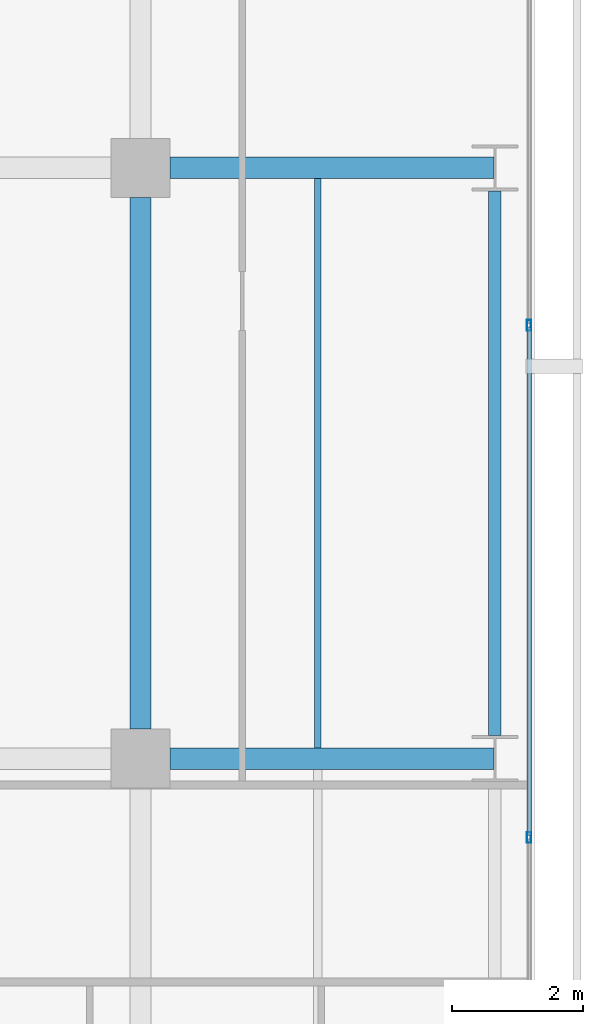
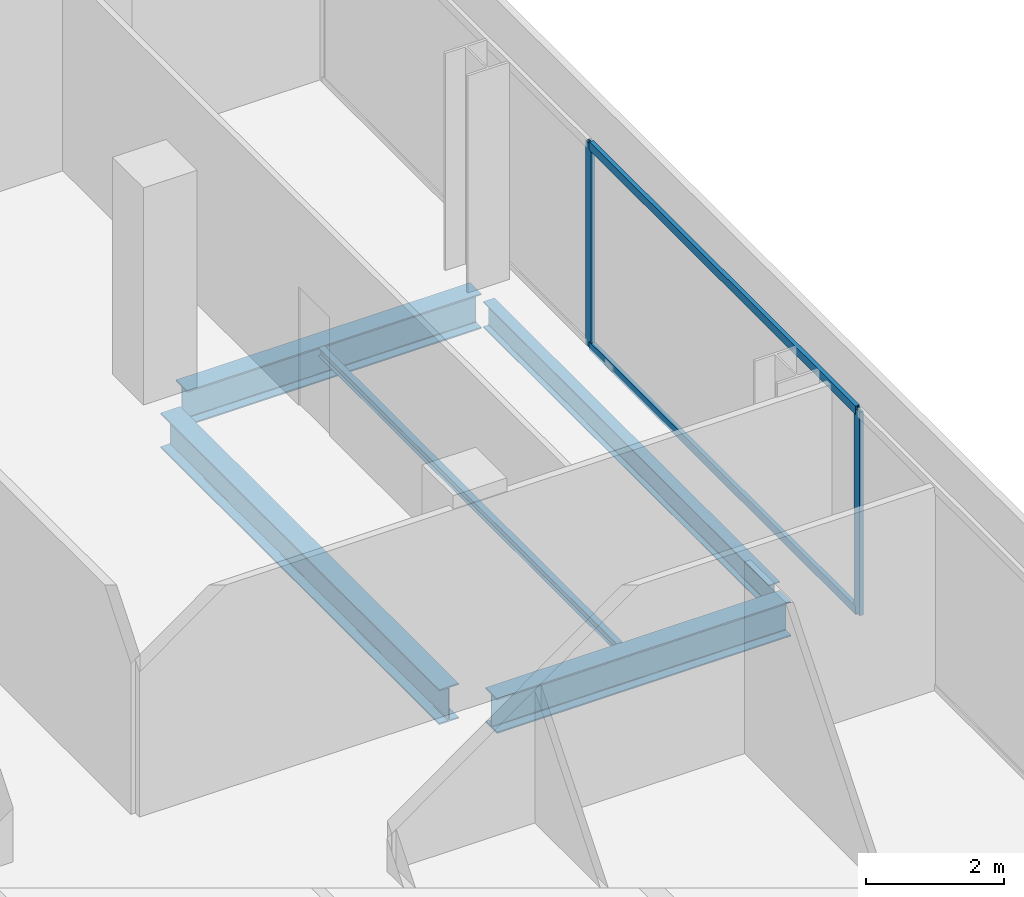
# One storey, part 28 of 39: 5 beams, 4 members, 1 element without a shape of its own.
"""IFC4 building model written with IfcOpenShell, lengths in metres."""

from ifc_helpers import new_model, si_unit, direction, frame, origin, origin_2d, place, context, subcontext, project, spatial, hollow_rectangle, i_section, extrude, material, layer, layer_set, material_profile, profile_set, type_object, element, aggregate, save


model = new_model("IFC4")

# Units and contexts
model_context = context("Model", 3, precision=1e-05, world=origin(), true_north=direction((0.0, 1.0)))
body_context = subcontext(model_context, "Body", "Model", "MODEL_VIEW")
ifc_project = project(units=[si_unit("LENGTHUNIT", "METRE"), si_unit("AREAUNIT", "SQUARE_METRE"), si_unit("VOLUMEUNIT", "CUBIC_METRE"), si_unit("PLANEANGLEUNIT", "RADIAN"), si_unit("MASSUNIT", "GRAM", prefix="KILO")], contexts=[model_context])

# Site, building, storey
site_placement = place(None, origin())
site = spatial("IfcSite", under=ifc_project, at=site_placement, CompositionType="ELEMENT")
building_placement = place(site_placement, origin())
building = spatial("IfcBuilding", under=site, at=building_placement, Name="Maruvema Waterfront Hotel and Observation Tower", CompositionType="ELEMENT")
storey_placement = place(building_placement, frame((0.0, 0.0, 65.449951171875)))
storey = spatial("IfcBuildingStorey", under=building, at=storey_placement, Name="L15", CompositionType="ELEMENT", Elevation=65.449951171875)

# Curtain wall, members
ifc_material_1 = material(Name="Anodised bronze aluminium and solar-control low-E IGU", Category="aluminium")
ifc_layer = layer(ifc_material_1, 0.159912109375, Name="Zone 1 Bronze Inner Thermal Curtain Wall System CW-02")
ifc_layer_set = layer_set([ifc_layer], Name="Anodised bronze aluminium and solar-control low-E IGU")
curtain_wall_type = type_object("IfcCurtainWallType", Name="Zone 1 Bronze Inner Thermal Curtain Wall System CW-02", PredefinedType="USERDEFINED", material=ifc_layer_set)
curtain_wall_placement = place(storey_placement, origin())
curtain_wall = element("IfcCurtainWall", 1, at=curtain_wall_placement, inside=storey, type_object=curtain_wall_type, Name="L15 Curtain Wall CW-L15-E", ObjectType="UNITISED CURTAIN WALL", PredefinedType="USERDEFINED")
ifc_material_2 = material(Name="Anodised architectural bronze aluminium", Category="aluminium")
ifc_material_profile_1 = material_profile(ifc_material_2, hollow_rectangle(XDim=0.070068359375, YDim=0.14990234375, WallThickness=0.00390625, at=origin_2d()), Name="ALU-T70x150")
ifc_profile_set_1 = profile_set([ifc_material_profile_1], Name="Anodised architectural bronze aluminium")
member_type_1 = type_object("IfcMemberType", Name="Curtain Wall Horizontal Transom ALU-T70x150", PredefinedType="USERDEFINED", material=ifc_profile_set_1)
member_1_placement = place(storey_placement, frame((64.719970703125, 34.830078125, 0.030029296875), z_axis=(0.0, 1.0, 0.0), x_axis=(-1.0, 0.0, 0.0)))
member_1 = element("IfcMember", 2, at=member_1_placement, type_object=member_type_1, Name="CW-02 transom 5.1", ObjectType="TRANSOM", PredefinedType="USERDEFINED", context=body_context, shape_type="SweptSolid", body=[
    extrude(hollow_rectangle(XDim=0.070068359375, YDim=0.14990234375, WallThickness=0.00390625, at=origin_2d()), origin(), (0.0, 0.0, 1.0), 7.739990234375),
])
member_2_placement = place(storey_placement, frame((64.719970703125, 34.830078125, 3.580078125), z_axis=(0.0, 1.0, 0.0), x_axis=(-1.0, 0.0, 0.0)))
member_2 = element("IfcMember", 3, at=member_2_placement, type_object=member_type_1, Name="CW-02 transom 5.2", ObjectType="TRANSOM", PredefinedType="USERDEFINED", context=body_context, shape_type="SweptSolid", body=[
    extrude(hollow_rectangle(XDim=0.070068359375, YDim=0.14990234375, WallThickness=0.00390625, at=origin_2d()), origin(), (0.0, 0.0, 1.0), 7.739990234375),
])
ifc_material_3 = material(Name="Anodised architectural bronze aluminium", Category="aluminium")
ifc_material_profile_2 = material_profile(ifc_material_3, hollow_rectangle(XDim=0.06494140625, YDim=0.1650390625, WallThickness=0.00390625, at=origin_2d()), Name="ALU-M65x165")
ifc_profile_set_2 = profile_set([ifc_material_profile_2], Name="Anodised architectural bronze aluminium")
member_type_2 = type_object("IfcMemberType", Name="Curtain Wall Primary Mullion ALU-M65x165", PredefinedType="MULLION", material=ifc_profile_set_2)
member_3_placement = place(storey_placement, frame((64.719970703125, 34.800048828125, 0.0), z_axis=(0.0, 0.0, 1.0), x_axis=(-1.0, 0.0, 0.0)))
member_3 = element("IfcMember", 4, at=member_3_placement, type_object=member_type_2, Name="CW-02 mullion 5", PredefinedType="MULLION", context=body_context, shape_type="SweptSolid", body=[
    extrude(hollow_rectangle(XDim=0.06494140625, YDim=0.1650390625, WallThickness=0.00390625, at=origin_2d()), origin(), (0.0, 0.0, 1.0), 3.610107421875),
])
member_4_placement = place(storey_placement, frame((64.719970703125, 42.60009765625, 0.0), z_axis=(0.0, 0.0, 1.0), x_axis=(-1.0, 0.0, 0.0)))
member_4 = element("IfcMember", 5, at=member_4_placement, type_object=member_type_2, Name="CW-02 mullion 6", PredefinedType="MULLION", context=body_context, shape_type="SweptSolid", body=[
    extrude(hollow_rectangle(XDim=0.06494140625, YDim=0.1650390625, WallThickness=0.00390625, at=origin_2d()), origin(), (0.0, 0.0, 1.0), 3.610107421875),
])
aggregate(curtain_wall, [member_3, member_4, member_1, member_2])

# Beams
ifc_material_4 = material(Name="Steel ASTM A572 Grade 50", Category="steel")
ifc_material_profile_3 = material_profile(ifc_material_4, i_section(OverallWidth=0.18994140625, OverallDepth=0.45703125, WebThickness=0.009033203125, FlangeThickness=0.014404296875, FilletRadius=0.014892578125, at=origin_2d()), Name="W460x74.0")
ifc_profile_set_3 = profile_set([ifc_material_profile_3], Name="Steel ASTM A572 Grade 50")
beam_type_1 = type_object("IfcBeamType", Name="Perimeter Spandrel Beam W460x74.0", PredefinedType="SPANDREL", material=ifc_profile_set_3)
beam_1_placement = place(storey_placement, frame((64.199951171875, 36.35009765625, -0.468505859375), z_axis=(0.0, 1.0, 0.0), x_axis=(-1.0, 0.0, 0.0)))
element("IfcBeam", 6, at=beam_1_placement, inside=storey, type_object=beam_type_1, Name="L15 Floor Girder NS-36", PredefinedType="SPANDREL", context=body_context, shape_type="SweptSolid", body=[
    extrude(i_section(OverallWidth=0.18994140625, OverallDepth=0.45703125, WebThickness=0.009033203125, FlangeThickness=0.014404296875, FilletRadius=0.014892578125, at=origin_2d()), origin(), (0.0, 0.0, 1.0), 8.2998046875),
])
ifc_material_5 = material(Name="Steel ASTM A572 Grade 50", Category="steel")
ifc_material_profile_4 = material_profile(ifc_material_5, i_section(OverallWidth=0.326904296875, OverallDepth=0.6220703125, WebThickness=0.015380859375, FlangeThickness=0.0244140625, FilletRadius=0.01806640625, at=origin_2d()), Name="W610x195.0")
ifc_profile_set_4 = profile_set([ifc_material_profile_4], Name="Steel ASTM A572 Grade 50")
beam_type_2 = type_object("IfcBeamType", Name="Primary Floor Girder W610x195.0", PredefinedType="BEAM", material=ifc_profile_set_4)
for number, where, z_axis, x_axis, name in (
    (7, (59.25, 36.0, -0.551025390625), (1.0, 0.0, 0.0), (0.0, 1.0, 0.0), "L15 Floor Girder EW-31"),
    (8, (59.25, 45.0, -0.551025390625), (1.0, 0.0, 0.0), (0.0, 1.0, 0.0), "L15 Floor Girder EW-35"),
):
    element("IfcBeam", number, at=place(storey_placement, frame(where, z_axis=z_axis, x_axis=x_axis)), inside=storey, type_object=beam_type_2, Name=name, PredefinedType="BEAM", context=body_context, shape_type="SweptSolid", body=[
        extrude(i_section(OverallWidth=0.326904296875, OverallDepth=0.6220703125, WebThickness=0.015380859375, FlangeThickness=0.0244140625, FilletRadius=0.01806640625, at=origin_2d()), origin(), (0.0, 0.0, 1.0), 4.93603515625),
    ])
beam_2_placement = place(storey_placement, frame((58.800048828125, 36.449951171875, -0.551025390625), z_axis=(0.0, 1.0, 0.0), x_axis=(-1.0, 0.0, 0.0)))
element("IfcBeam", 9, at=beam_2_placement, inside=storey, type_object=beam_type_2, Name="L15 Floor Girder NS-31", PredefinedType="BEAM", context=body_context, shape_type="SweptSolid", body=[
    extrude(i_section(OverallWidth=0.326904296875, OverallDepth=0.6220703125, WebThickness=0.015380859375, FlangeThickness=0.0244140625, FilletRadius=0.01806640625, at=origin_2d()), origin(), (0.0, 0.0, 1.0), 8.10009765625),
])
ifc_material_6 = material(Name="Steel ASTM A572 Grade 50", Category="steel")
ifc_material_profile_5 = material_profile(ifc_material_6, i_section(OverallWidth=0.10009765625, OverallDepth=0.153076171875, WebThickness=0.005859375, FlangeThickness=0.007080078125, FilletRadius=0.008056640625, at=origin_2d()), Name="W150x18.0")
ifc_profile_set_5 = profile_set([ifc_material_profile_5], Name="Steel ASTM A572 Grade 50")
beam_type_3 = type_object("IfcBeamType", Name="Secondary Floor Joist W150x18.0", PredefinedType="JOIST", material=ifc_profile_set_5)
beam_3_placement = place(storey_placement, frame((61.5, 36.16357421875, -0.31640625), z_axis=(0.0, 1.0, 0.0), x_axis=(-1.0, 0.0, 0.0)))
element("IfcBeam", 10, at=beam_3_placement, inside=storey, type_object=beam_type_3, Name="L15 Secondary Floor Joist JS-24", PredefinedType="JOIST", context=body_context, shape_type="SweptSolid", body=[
    extrude(i_section(OverallWidth=0.10009765625, OverallDepth=0.153076171875, WebThickness=0.005859375, FlangeThickness=0.007080078125, FilletRadius=0.008056640625, at=origin_2d()), origin(), (0.0, 0.0, 1.0), 8.6728515625),
])

save(model, "model.ifc")
